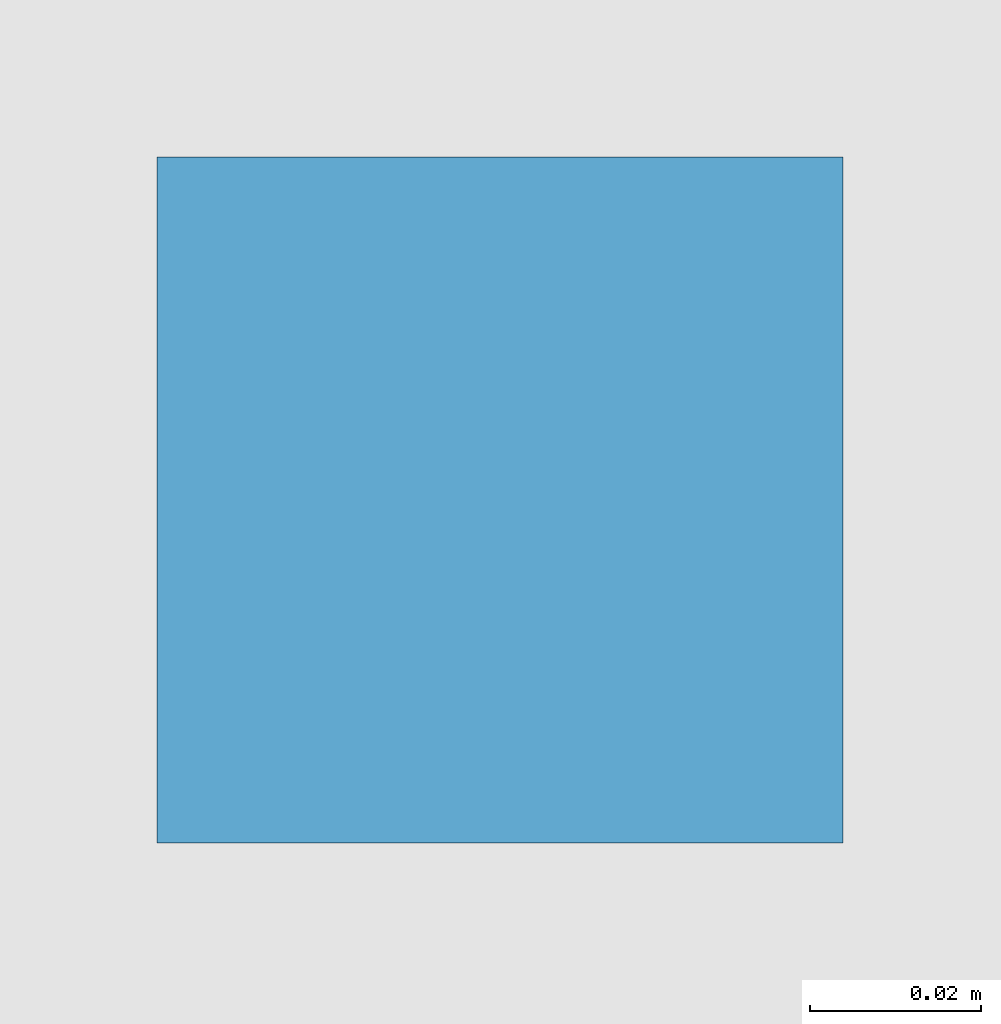
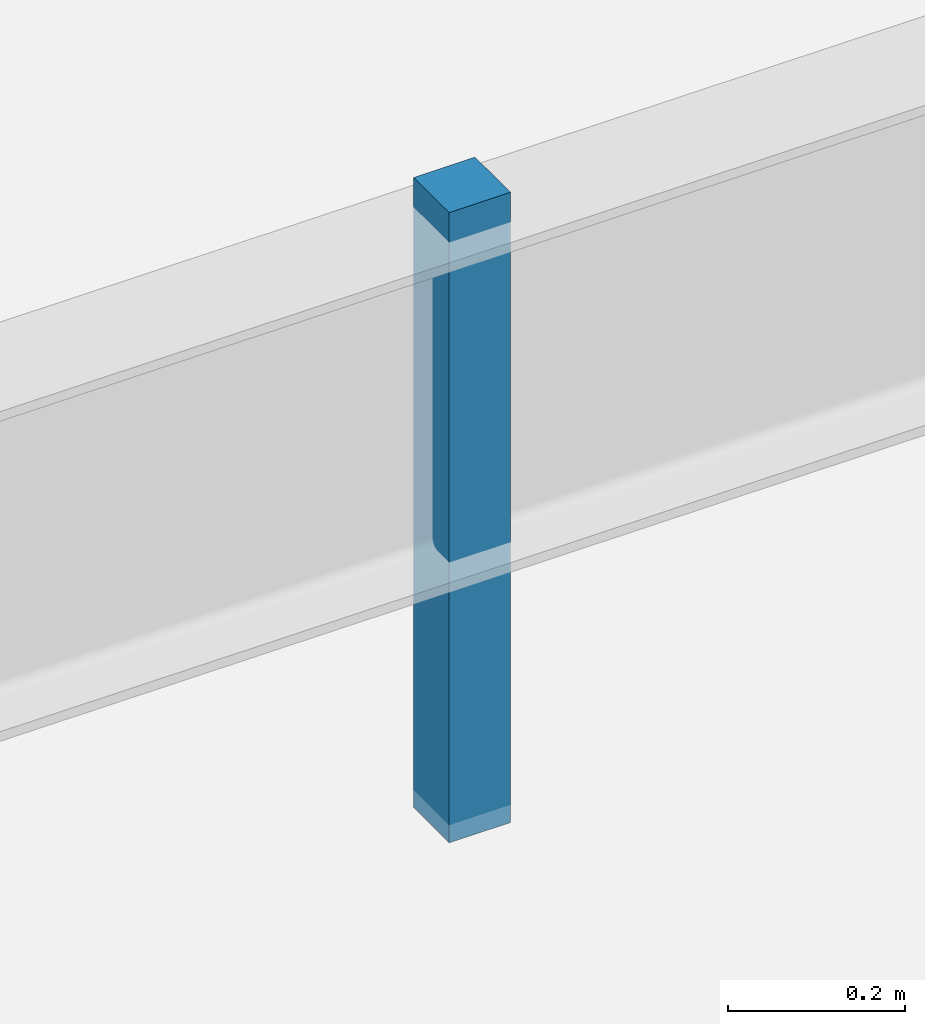
# One storey, part 112 of 128: 1 discrete accessory.
"""IFC4 building model written with IfcOpenShell, lengths in metres."""

from ifc_helpers import new_model, si_unit, direction, frame, origin, origin_2d, place, context, subcontext, project, spatial, rectangle, extrude, material, type_object, element, save


model = new_model("IFC4")

# Units and contexts
model_context = context("Model", 3, precision=1e-05, world=origin(), true_north=direction((0.0, 1.0)))
body_context = subcontext(model_context, "Body", "Model", "MODEL_VIEW")
ifc_project = project(units=[si_unit("LENGTHUNIT", "METRE"), si_unit("AREAUNIT", "SQUARE_METRE"), si_unit("VOLUMEUNIT", "CUBIC_METRE"), si_unit("PLANEANGLEUNIT", "RADIAN"), si_unit("MASSUNIT", "GRAM", prefix="KILO")], contexts=[model_context])

# Site, building, storey
site_placement = place(None, origin())
site = spatial("IfcSite", under=ifc_project, at=site_placement, CompositionType="ELEMENT")
building_placement = place(site_placement, origin())
building = spatial("IfcBuilding", under=site, at=building_placement, Name="Solmirada Galleria", CompositionType="ELEMENT")
storey_placement = place(building_placement, origin())
storey = spatial("IfcBuildingStorey", under=building, at=storey_placement, Name="L00", CompositionType="ELEMENT", Elevation=0.0)

# Discrete accessory
ifc_material = material(Name="Steel S355 / ASTM A992 Grade 50", Category="steel")
discrete_accessory_type = type_object("IfcDiscreteAccessoryType", Name="ACC-CEIL-HANGER", PredefinedType="BRACKET", material=ifc_material)
discrete_accessory_placement = place(storey_placement, frame((92.0, 20.0, 4.550048828125), z_axis=(0.0, 0.0, 1.0), x_axis=(1.0, 0.0, 0.0)))
element("IfcDiscreteAccessory", 1, at=discrete_accessory_placement, inside=storey, type_object=discrete_accessory_type, Name="Ceiling suspension hanger L00-2", PredefinedType="BRACKET", context=body_context, shape_type="SweptSolid", body=[
    extrude(rectangle(XDim=0.080078125, YDim=0.080078125, at=origin_2d()), origin(), (0.0, 0.0, 1.0), 0.8701171875),
])

save(model, "model.ifc")
